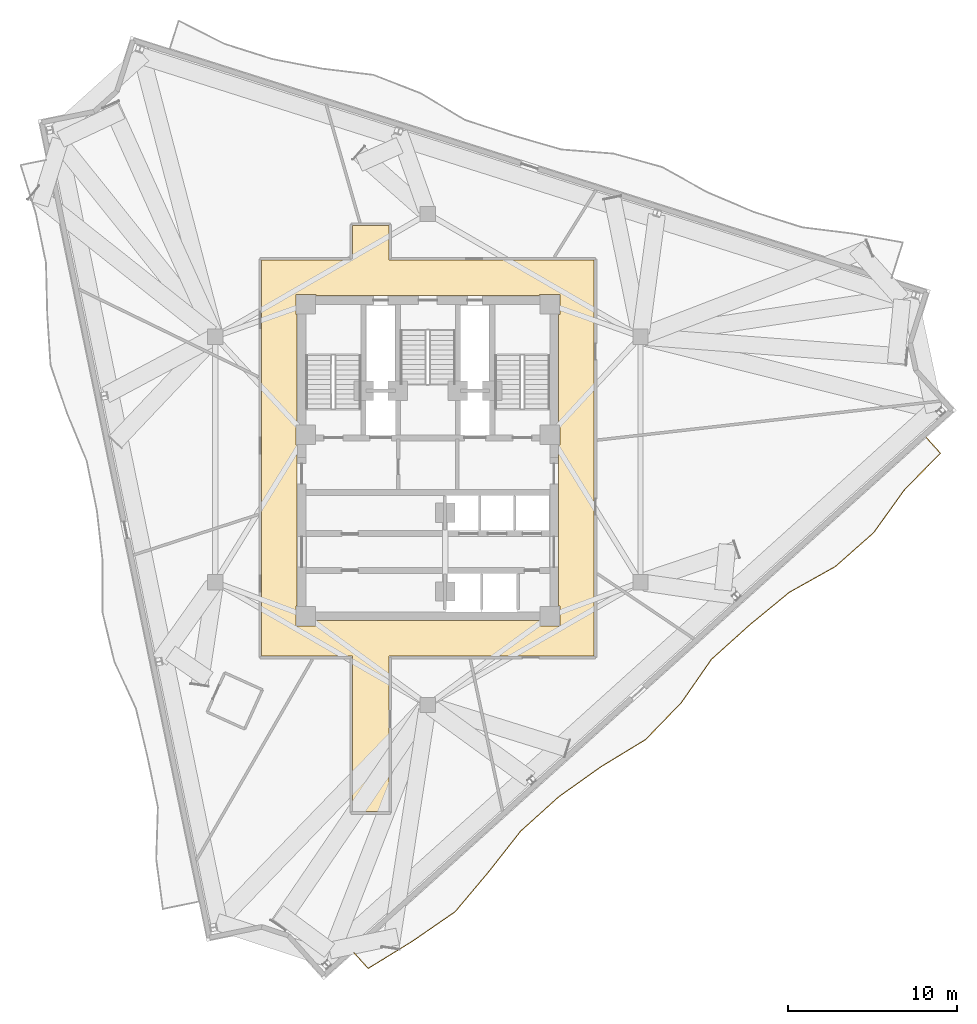
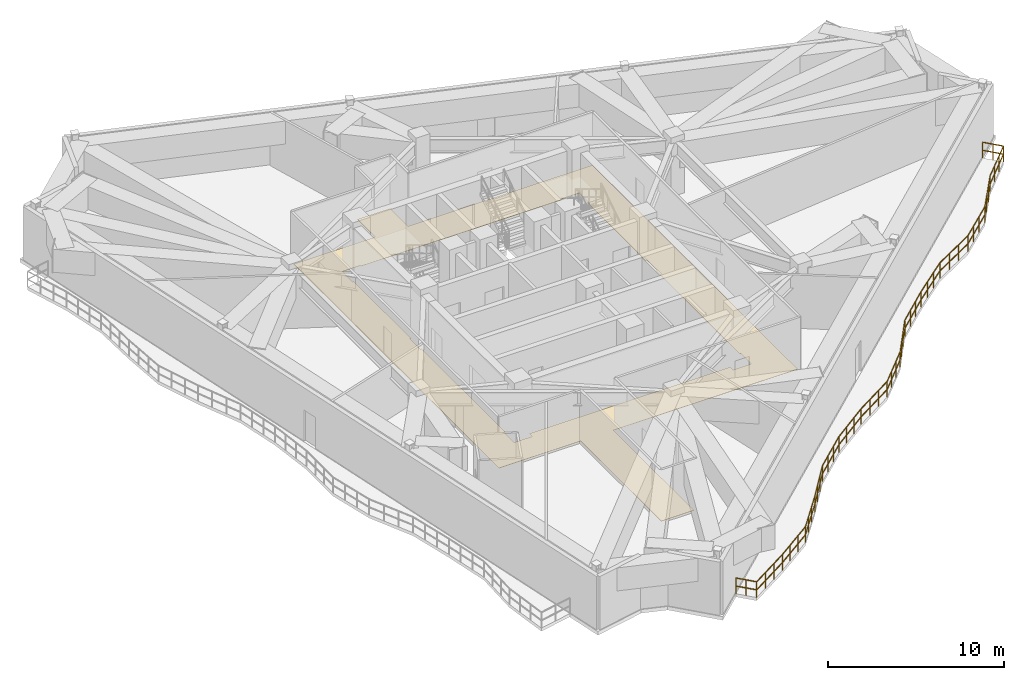
# One storey, part 10 of 12: 1 covering, 1 railing.
"""IFC4 building model written with IfcOpenShell, lengths in metres."""

from ifc_helpers import new_model, si_unit, direction, frame, origin, origin_2d, place, context, subcontext, project, spatial, polyline, rectangle, outline, extrude, material, layer, layer_set, type_object, element, save


model = new_model("IFC4")

# Units and contexts
model_context = context("Model", 3, precision=1e-05, world=origin(), true_north=direction((0.0, 1.0)))
body_context = subcontext(model_context, "Body", "Model", "MODEL_VIEW")
ifc_project = project(units=[si_unit("LENGTHUNIT", "METRE"), si_unit("AREAUNIT", "SQUARE_METRE"), si_unit("VOLUMEUNIT", "CUBIC_METRE"), si_unit("PLANEANGLEUNIT", "RADIAN"), si_unit("MASSUNIT", "GRAM", prefix="KILO")], contexts=[model_context])

# Site, building, storey
site_placement = place(None, origin())
site = spatial("IfcSite", under=ifc_project, at=site_placement, CompositionType="ELEMENT")
building_placement = place(site_placement, origin())
building = spatial("IfcBuilding", under=site, at=building_placement, Name="Apsidion Concourse Tower", CompositionType="ELEMENT")
storey_placement = place(building_placement, frame((0.0, 0.0, 256.800048828125)))
storey = spatial("IfcBuildingStorey", under=building, at=storey_placement, Name="L60", CompositionType="ELEMENT", Elevation=256.800048828125)

# Covering
ifc_material_1 = material(Name="Honed travertine floor finish", Category="masonry")
ifc_layer = layer(ifc_material_1, 0.02001953125)
ifc_layer_set = layer_set([ifc_layer], Name="Honed travertine floor finish")
covering_type = type_object("IfcCoveringType", Name="COV-FLOR-20", PredefinedType="FLOORING", material=ifc_layer_set)
covering_placement = place(storey_placement, origin())
element("IfcCovering", 1, at=covering_placement, inside=storey, type_object=covering_type, Name="L60 Honed Travertine Floor Finish 2", PredefinedType="FLOORING", context=body_context, shape_type="SweptSolid", body=[
    extrude(outline(polyline([(-9.820068359375, -11.6201171875), (-9.820068359375, 11.77001953125), (-4.449951171875, 11.77001953125), (-4.449951171875, 13.800048828125), (-2.300048828125, 13.800048828125), (-2.300048828125, 11.77001953125), (9.820068359375, 11.77001953125), (9.820068359375, -11.6201171875), (-2.300048828125, -11.6201171875), (-2.300048828125, -20.800048828125), (-4.449951171875, -20.800048828125), (-4.449951171875, -11.6201171875), (-9.820068359375, -11.6201171875)]), holes=[polyline([(-2.300048828125, 9.669921875), (-4.449951171875, 9.669921875), (-6.60498046875, 9.669921875), (-6.60498046875, 9.72509765625), (-6.60498046875, 9.72705078125), (-6.60546875, 9.72900390625), (-6.60595703125, 9.730712890625), (-6.6064453125, 9.732666015625), (-6.607421875, 9.734375), (-6.6083984375, 9.736083984375), (-6.609619140625, 9.73779296875), (-6.61083984375, 9.739013671875), (-6.6123046875, 9.740478515625), (-6.614013671875, 9.74169921875), (-6.615478515625, 9.74267578125), (-6.6171875, 9.743408203125), (-6.619140625, 9.744140625), (-6.62109375, 9.74462890625), (-6.623046875, 9.744873046875), (-6.625, 9.7451171875), (-7.77490234375, 9.7451171875), (-7.777099609375, 9.744873046875), (-7.77880859375, 9.74462890625), (-7.78076171875, 9.744140625), (-7.78271484375, 9.743408203125), (-7.784423828125, 9.74267578125), (-7.7861328125, 9.74169921875), (-7.78759765625, 9.740478515625), (-7.7890625, 9.739013671875), (-7.79052734375, 9.73779296875), (-7.79150390625, 9.736083984375), (-7.79248046875, 9.734375), (-7.79345703125, 9.732666015625), (-7.794189453125, 9.730712890625), (-7.794677734375, 9.72900390625), (-7.794921875, 9.72705078125), (-7.794921875, 9.72509765625), (-7.794921875, 8.574951171875), (-7.794921875, 8.572998046875), (-7.794677734375, 8.571044921875), (-7.794189453125, 8.569091796875), (-7.79345703125, 8.5673828125), (-7.79248046875, 8.565673828125), (-7.79150390625, 8.56396484375), (-7.79052734375, 8.562255859375), (-7.7890625, 8.560791015625), (-7.78759765625, 8.5595703125), (-7.7861328125, 8.558349609375), (-7.784423828125, 8.557373046875), (-7.78271484375, 8.556396484375), (-7.78076171875, 8.555908203125), (-7.77880859375, 8.555419921875), (-7.777099609375, 8.55517578125), (-7.77490234375, 8.554931640625), (-7.719970703125, 8.554931640625), (-7.719970703125, 2.044921875), (-7.77490234375, 2.044921875), (-7.777099609375, 2.044921875), (-7.77880859375, 2.044677734375), (-7.78076171875, 2.044189453125), (-7.78271484375, 2.04345703125), (-7.784423828125, 2.04248046875), (-7.7861328125, 2.04150390625), (-7.78759765625, 2.04052734375), (-7.7890625, 2.0390625), (-7.79052734375, 2.03759765625), (-7.79150390625, 2.0361328125), (-7.79248046875, 2.034423828125), (-7.79345703125, 2.03271484375), (-7.794189453125, 2.03076171875), (-7.794677734375, 2.02880859375), (-7.794921875, 2.027099609375), (-7.794921875, 2.02490234375), (-7.794921875, 0.875), (-7.794921875, 0.873046875), (-7.794677734375, 0.87109375), (-7.794189453125, 0.869140625), (-7.79345703125, 0.8671875), (-7.79248046875, 0.865478515625), (-7.79150390625, 0.864013671875), (-7.79052734375, 0.8623046875), (-7.7890625, 0.86083984375), (-7.78759765625, 0.859619140625), (-7.7861328125, 0.8583984375), (-7.784423828125, 0.857421875), (-7.78271484375, 0.8564453125), (-7.78076171875, 0.85595703125), (-7.77880859375, 0.85546875), (-7.777099609375, 0.85498046875), (-7.77490234375, 0.85498046875), (-7.719970703125, 0.85498046875), (-7.719970703125, -8.655029296875), (-7.77490234375, -8.655029296875), (-7.777099609375, -8.655029296875), (-7.77880859375, -8.655517578125), (-7.78076171875, -8.656005859375), (-7.78271484375, -8.656494140625), (-7.784423828125, -8.657470703125), (-7.7861328125, -8.658447265625), (-7.78759765625, -8.659423828125), (-7.7890625, -8.660888671875), (-7.79052734375, -8.662353515625), (-7.79150390625, -8.663818359375), (-7.79248046875, -8.66552734375), (-7.79345703125, -8.667236328125), (-7.794189453125, -8.669189453125), (-7.794677734375, -8.671142578125), (-7.794921875, -8.673095703125), (-7.794921875, -8.675048828125), (-7.794921875, -9.824951171875), (-7.794921875, -9.826904296875), (-7.794677734375, -9.828857421875), (-7.794189453125, -9.830810546875), (-7.79345703125, -9.832763671875), (-7.79248046875, -9.83447265625), (-7.79150390625, -9.836181640625), (-7.79052734375, -9.837646484375), (-7.7890625, -9.839111328125), (-7.78759765625, -9.840576171875), (-7.7861328125, -9.841552734375), (-7.784423828125, -9.842529296875), (-7.78271484375, -9.843505859375), (-7.78076171875, -9.843994140625), (-7.77880859375, -9.844482421875), (-7.777099609375, -9.844970703125), (-7.77490234375, -9.844970703125), (-6.625, -9.844970703125), (-6.623046875, -9.844970703125), (-6.62109375, -9.844482421875), (-6.619140625, -9.843994140625), (-6.6171875, -9.843505859375), (-6.615478515625, -9.842529296875), (-6.614013671875, -9.841552734375), (-6.6123046875, -9.840576171875), (-6.61083984375, -9.839111328125), (-6.609619140625, -9.837646484375), (-6.6083984375, -9.836181640625), (-6.607421875, -9.83447265625), (-6.6064453125, -9.832763671875), (-6.60595703125, -9.830810546875), (-6.60546875, -9.828857421875), (-6.60498046875, -9.826904296875), (-6.60498046875, -9.824951171875), (-6.60498046875, -9.52001953125), (-4.449951171875, -9.52001953125), (-2.300048828125, -9.52001953125), (6.60498046875, -9.52001953125), (6.60498046875, -9.824951171875), (6.60498046875, -9.826904296875), (6.60546875, -9.828857421875), (6.60595703125, -9.830810546875), (6.6064453125, -9.832763671875), (6.607421875, -9.83447265625), (6.6083984375, -9.836181640625), (6.609619140625, -9.837646484375), (6.61083984375, -9.839111328125), (6.6123046875, -9.840576171875), (6.614013671875, -9.841552734375), (6.615478515625, -9.842529296875), (6.6171875, -9.843505859375), (6.619140625, -9.843994140625), (6.62109375, -9.844482421875), (6.623046875, -9.844970703125), (6.625, -9.844970703125), (7.77490234375, -9.844970703125), (7.777099609375, -9.844970703125), (7.77880859375, -9.844482421875), (7.78076171875, -9.843994140625), (7.78271484375, -9.843505859375), (7.784423828125, -9.842529296875), (7.7861328125, -9.841552734375), (7.78759765625, -9.840576171875), (7.7890625, -9.839111328125), (7.79052734375, -9.837646484375), (7.79150390625, -9.836181640625), (7.79248046875, -9.83447265625), (7.79345703125, -9.832763671875), (7.794189453125, -9.830810546875), (7.794677734375, -9.828857421875), (7.794921875, -9.826904296875), (7.794921875, -9.824951171875), (7.794921875, -8.675048828125), (7.794921875, -8.673095703125), (7.794677734375, -8.671142578125), (7.794189453125, -8.669189453125), (7.79345703125, -8.667236328125), (7.79248046875, -8.66552734375), (7.79150390625, -8.663818359375), (7.79052734375, -8.662353515625), (7.7890625, -8.660888671875), (7.78759765625, -8.659423828125), (7.7861328125, -8.658447265625), (7.784423828125, -8.657470703125), (7.78271484375, -8.656494140625), (7.78076171875, -8.656005859375), (7.77880859375, -8.655517578125), (7.777099609375, -8.655029296875), (7.77490234375, -8.655029296875), (7.719970703125, -8.655029296875), (7.719970703125, 0.85498046875), (7.77490234375, 0.85498046875), (7.777099609375, 0.85498046875), (7.77880859375, 0.85546875), (7.78076171875, 0.85595703125), (7.78271484375, 0.8564453125), (7.784423828125, 0.857421875), (7.7861328125, 0.8583984375), (7.78759765625, 0.859619140625), (7.7890625, 0.86083984375), (7.79052734375, 0.8623046875), (7.79150390625, 0.864013671875), (7.79248046875, 0.865478515625), (7.79345703125, 0.8671875), (7.794189453125, 0.869140625), (7.794677734375, 0.87109375), (7.794921875, 0.873046875), (7.794921875, 0.875), (7.794921875, 2.02490234375), (7.794921875, 2.027099609375), (7.794677734375, 2.02880859375), (7.794189453125, 2.03076171875), (7.79345703125, 2.03271484375), (7.79248046875, 2.034423828125), (7.79150390625, 2.0361328125), (7.79052734375, 2.03759765625), (7.7890625, 2.0390625), (7.78759765625, 2.04052734375), (7.7861328125, 2.04150390625), (7.784423828125, 2.04248046875), (7.78271484375, 2.04345703125), (7.78076171875, 2.044189453125), (7.77880859375, 2.044677734375), (7.777099609375, 2.044921875), (7.77490234375, 2.044921875), (7.719970703125, 2.044921875), (7.719970703125, 8.554931640625), (7.77490234375, 8.554931640625), (7.777099609375, 8.55517578125), (7.77880859375, 8.555419921875), (7.78076171875, 8.555908203125), (7.78271484375, 8.556396484375), (7.784423828125, 8.557373046875), (7.7861328125, 8.558349609375), (7.78759765625, 8.5595703125), (7.7890625, 8.560791015625), (7.79052734375, 8.562255859375), (7.79150390625, 8.56396484375), (7.79248046875, 8.565673828125), (7.79345703125, 8.5673828125), (7.794189453125, 8.569091796875), (7.794677734375, 8.571044921875), (7.794921875, 8.572998046875), (7.794921875, 8.574951171875), (7.794921875, 9.72509765625), (7.794921875, 9.72705078125), (7.794677734375, 9.72900390625), (7.794189453125, 9.730712890625), (7.79345703125, 9.732666015625), (7.79248046875, 9.734375), (7.79150390625, 9.736083984375), (7.79052734375, 9.73779296875), (7.7890625, 9.739013671875), (7.78759765625, 9.740478515625), (7.7861328125, 9.74169921875), (7.784423828125, 9.74267578125), (7.78271484375, 9.743408203125), (7.78076171875, 9.744140625), (7.77880859375, 9.74462890625), (7.777099609375, 9.744873046875), (7.77490234375, 9.7451171875), (6.625, 9.7451171875), (6.623046875, 9.744873046875), (6.62109375, 9.74462890625), (6.619140625, 9.744140625), (6.6171875, 9.743408203125), (6.615478515625, 9.74267578125), (6.614013671875, 9.74169921875), (6.6123046875, 9.740478515625), (6.61083984375, 9.739013671875), (6.609619140625, 9.73779296875), (6.6083984375, 9.736083984375), (6.607421875, 9.734375), (6.6064453125, 9.732666015625), (6.60595703125, 9.730712890625), (6.60546875, 9.72900390625), (6.60498046875, 9.72705078125), (6.60498046875, 9.72509765625), (6.60498046875, 9.669921875), (-2.300048828125, 9.669921875)])]), origin(), (0.0, 0.0, 1.0), 0.02001953125),
])

# Railing
ifc_material_2 = material(Name="Brushed stainless steel 316", Category="steel")
railing_type = type_object("IfcRailingType", Name="RL-BAL-1120", PredefinedType="BALUSTRADE", material=ifc_material_2)
railing_placement = place(storey_placement, frame((29.43359375, 1.295166015625, 0.0)))
element("IfcRailing", 2, at=railing_placement, inside=storey, type_object=railing_type, Name="L60 Face 2 Rippling Balcony Balustrade", PredefinedType="BALUSTRADE", context=body_context, shape_type="SweptSolid", body=[
    extrude(rectangle(XDim=0.048095703125, YDim=0.048095703125, at=origin_2d()), frame((0.0, 0.0, 1.09619140625), z_axis=(0.669126573551, -0.743148456614, 0.0), x_axis=(0.743148456614, 0.669126573551, 0.0)), (0.0, 0.0, 1.0), 1.25),
    extrude(rectangle(XDim=0.048095703125, YDim=0.048095703125, at=origin_2d()), frame((0.0, 0.0, 0.5361328125), z_axis=(0.669126573551, -0.743148456614, 0.0), x_axis=(0.743148456614, 0.669126573551, 0.0)), (0.0, 0.0, 1.0), 1.25),
    extrude(rectangle(XDim=0.048095703125, YDim=0.048095703125, at=origin_2d()), frame((0.83642578125, -0.928955078125, 1.09619140625), z_axis=(-0.700729199082, -0.713427354083, 0.0), x_axis=(0.713427354083, -0.700729199082, 0.0)), (0.0, 0.0, 1.0), 3.037841796875),
    extrude(rectangle(XDim=0.048095703125, YDim=0.048095703125, at=origin_2d()), frame((0.83642578125, -0.928955078125, 0.5361328125), z_axis=(-0.700729199082, -0.713427354083, 0.0), x_axis=(0.713427354083, -0.700729199082, 0.0)), (0.0, 0.0, 1.0), 3.037841796875),
    extrude(rectangle(XDim=0.048095703125, YDim=0.048095703125, at=origin_2d()), frame((-1.292236328125, -3.09619140625, 1.09619140625), z_axis=(-0.582301555554, -0.812972876792, 0.0), x_axis=(0.812972876792, -0.582301555554, 0.0)), (0.0, 0.0, 1.0), 3.104248046875),
    extrude(rectangle(XDim=0.048095703125, YDim=0.048095703125, at=origin_2d()), frame((-1.292236328125, -3.09619140625, 0.5361328125), z_axis=(-0.582301555554, -0.812972876792, 0.0), x_axis=(0.812972876792, -0.582301555554, 0.0)), (0.0, 0.0, 1.0), 3.104248046875),
    extrude(rectangle(XDim=0.048095703125, YDim=0.048095703125, at=origin_2d()), frame((-3.099853515625, -5.619873046875, 1.09619140625), z_axis=(-0.749435924081, -0.662076880503, 0.0), x_axis=(0.662076880503, -0.749435924081, 0.0)), (0.0, 0.0, 1.0), 3.0322265625),
    extrude(rectangle(XDim=0.048095703125, YDim=0.048095703125, at=origin_2d()), frame((-3.099853515625, -5.619873046875, 0.5361328125), z_axis=(-0.749435924081, -0.662076880503, 0.0), x_axis=(0.662076880503, -0.749435924081, 0.0)), (0.0, 0.0, 1.0), 3.0322265625),
    extrude(rectangle(XDim=0.048095703125, YDim=0.048095703125, at=origin_2d()), frame((-5.372314453125, -7.62744140625, 1.09619140625), z_axis=(-0.87266399383, -0.488321158535, 0.0), x_axis=(0.488321158535, -0.87266399383, 0.0)), (0.0, 0.0, 1.0), 3.108642578125),
    extrude(rectangle(XDim=0.048095703125, YDim=0.048095703125, at=origin_2d()), frame((-5.372314453125, -7.62744140625, 0.5361328125), z_axis=(-0.87266399383, -0.488321158535, 0.0), x_axis=(0.488321158535, -0.87266399383, 0.0)), (0.0, 0.0, 1.0), 3.108642578125),
    extrude(rectangle(XDim=0.048095703125, YDim=0.048095703125, at=origin_2d()), frame((-8.085205078125, -9.1455078125, 1.09619140625), z_axis=(-0.772457053962, -0.635067004169, 0.0), x_axis=(0.635067004169, -0.772457053962, 0.0)), (0.0, 0.0, 1.0), 3.03515625),
    extrude(rectangle(XDim=0.048095703125, YDim=0.048095703125, at=origin_2d()), frame((-8.085205078125, -9.1455078125, 0.5361328125), z_axis=(-0.772457053962, -0.635067004169, 0.0), x_axis=(0.635067004169, -0.772457053962, 0.0)), (0.0, 0.0, 1.0), 3.03515625),
    extrude(rectangle(XDim=0.048095703125, YDim=0.048095703125, at=origin_2d()), frame((-10.4296875, -11.072998046875, 1.09619140625), z_axis=(-0.743137975508, -0.669138213942, 0.0), x_axis=(0.669138213942, -0.743137975508, 0.0)), (0.0, 0.0, 1.0), 3.031982421875),
    extrude(rectangle(XDim=0.048095703125, YDim=0.048095703125, at=origin_2d()), frame((-10.4296875, -11.072998046875, 0.5361328125), z_axis=(-0.743137975508, -0.669138213942, 0.0), x_axis=(0.669138213942, -0.743137975508, 0.0)), (0.0, 0.0, 1.0), 3.031982421875),
    extrude(rectangle(XDim=0.048095703125, YDim=0.048095703125, at=origin_2d()), frame((-12.682861328125, -13.101806640625, 1.09619140625), z_axis=(-0.570696935224, -0.821160768745, 0.0), x_axis=(0.821160768745, -0.570696935224, 0.0)), (0.0, 0.0, 1.0), 3.1142578125),
    extrude(rectangle(XDim=0.048095703125, YDim=0.048095703125, at=origin_2d()), frame((-12.682861328125, -13.101806640625, 0.5361328125), z_axis=(-0.570696935224, -0.821160768745, 0.0), x_axis=(0.821160768745, -0.570696935224, 0.0)), (0.0, 0.0, 1.0), 3.1142578125),
    extrude(rectangle(XDim=0.048095703125, YDim=0.048095703125, at=origin_2d()), frame((-14.460205078125, -15.6591796875, 1.09619140625), z_axis=(-0.695404032151, -0.718618975583, 0.0), x_axis=(0.718618975583, -0.695404032151, 0.0)), (0.0, 0.0, 1.0), 3.039306640625),
    extrude(rectangle(XDim=0.048095703125, YDim=0.048095703125, at=origin_2d()), frame((-14.460205078125, -15.6591796875, 0.5361328125), z_axis=(-0.695404032151, -0.718618975583, 0.0), x_axis=(0.718618975583, -0.695404032151, 0.0)), (0.0, 0.0, 1.0), 3.039306640625),
    extrude(rectangle(XDim=0.048095703125, YDim=0.048095703125, at=origin_2d()), frame((-16.57373046875, -17.84326171875, 1.09619140625), z_axis=(-0.854172576761, -0.519989624041, 0.0), x_axis=(0.519989624041, -0.854172576761, 0.0)), (0.0, 0.0, 1.0), 3.085205078125),
    extrude(rectangle(XDim=0.048095703125, YDim=0.048095703125, at=origin_2d()), frame((-16.57373046875, -17.84326171875, 0.5361328125), z_axis=(-0.854172576761, -0.519989624041, 0.0), x_axis=(0.519989624041, -0.854172576761, 0.0)), (0.0, 0.0, 1.0), 3.085205078125),
    extrude(rectangle(XDim=0.048095703125, YDim=0.048095703125, at=origin_2d()), frame((-19.208984375, -19.447509765625, 1.09619140625), z_axis=(-0.814780667996, -0.579769318833, 0.0), x_axis=(0.579769318833, -0.814780667996, 0.0)), (0.0, 0.0, 1.0), 3.05224609375),
    extrude(rectangle(XDim=0.048095703125, YDim=0.048095703125, at=origin_2d()), frame((-19.208984375, -19.447509765625, 0.5361328125), z_axis=(-0.814780667996, -0.579769318833, 0.0), x_axis=(0.579769318833, -0.814780667996, 0.0)), (0.0, 0.0, 1.0), 3.05224609375),
    extrude(rectangle(XDim=0.048095703125, YDim=0.048095703125, at=origin_2d()), frame((-21.69580078125, -21.217041015625, 1.09619140625), z_axis=(-0.743137975508, -0.669138213942, 0.0), x_axis=(0.669138213942, -0.743137975508, 0.0)), (0.0, 0.0, 1.0), 3.031982421875),
    extrude(rectangle(XDim=0.048095703125, YDim=0.048095703125, at=origin_2d()), frame((-21.69580078125, -21.217041015625, 0.5361328125), z_axis=(-0.743137975508, -0.669138213942, 0.0), x_axis=(0.669138213942, -0.743137975508, 0.0)), (0.0, 0.0, 1.0), 3.031982421875),
    extrude(rectangle(XDim=0.048095703125, YDim=0.048095703125, at=origin_2d()), frame((-23.948974609375, -23.245849609375, 1.09619140625), z_axis=(-0.617811040115, -0.786326597994, 0.0), x_axis=(0.786326597994, -0.617811040115, 0.0)), (0.0, 0.0, 1.0), 3.0771484375),
    extrude(rectangle(XDim=0.048095703125, YDim=0.048095703125, at=origin_2d()), frame((-23.948974609375, -23.245849609375, 0.5361328125), z_axis=(-0.617811040115, -0.786326597994, 0.0), x_axis=(0.786326597994, -0.617811040115, 0.0)), (0.0, 0.0, 1.0), 3.0771484375),
    extrude(rectangle(XDim=0.048095703125, YDim=0.048095703125, at=origin_2d()), frame((-25.85009765625, -25.66552734375, 1.09619140625), z_axis=(-0.64337908543, -0.76554774667, 0.0), x_axis=(0.76554774667, -0.64337908543, 0.0)), (0.0, 0.0, 1.0), 3.0615234375),
    extrude(rectangle(XDim=0.048095703125, YDim=0.048095703125, at=origin_2d()), frame((-25.85009765625, -25.66552734375, 0.5361328125), z_axis=(-0.64337908543, -0.76554774667, 0.0), x_axis=(0.76554774667, -0.64337908543, 0.0)), (0.0, 0.0, 1.0), 3.0615234375),
    extrude(rectangle(XDim=0.048095703125, YDim=0.048095703125, at=origin_2d()), frame((-27.81982421875, -28.00927734375, 1.09619140625), z_axis=(-0.823073769677, -0.567934476564, 0.0), x_axis=(0.567934476564, -0.823073769677, 0.0)), (0.0, 0.0, 1.0), 3.057373046875),
    extrude(rectangle(XDim=0.048095703125, YDim=0.048095703125, at=origin_2d()), frame((-27.81982421875, -28.00927734375, 0.5361328125), z_axis=(-0.823073769677, -0.567934476564, 0.0), x_axis=(0.567934476564, -0.823073769677, 0.0)), (0.0, 0.0, 1.0), 3.057373046875),
    extrude(rectangle(XDim=0.048095703125, YDim=0.048095703125, at=origin_2d()), frame((-30.336181640625, -29.74560546875, 1.09619140625), z_axis=(-0.85168822676, -0.524048818716, 0.0), x_axis=(0.524048818716, -0.85168822676, 0.0)), (0.0, 0.0, 1.0), 3.082763671875),
    extrude(rectangle(XDim=0.048095703125, YDim=0.048095703125, at=origin_2d()), frame((-30.336181640625, -29.74560546875, 0.5361328125), z_axis=(-0.85168822676, -0.524048818716, 0.0), x_axis=(0.524048818716, -0.85168822676, 0.0)), (0.0, 0.0, 1.0), 3.082763671875),
    extrude(rectangle(XDim=0.048095703125, YDim=0.048095703125, at=origin_2d()), frame((-32.961669921875, -31.361083984375, 1.09619140625), z_axis=(-0.669126573551, 0.743148456614, 0.0), x_axis=(-0.743148456614, -0.669126573551, 0.0)), (0.0, 0.0, 1.0), 1.25),
    extrude(rectangle(XDim=0.048095703125, YDim=0.048095703125, at=origin_2d()), frame((-32.961669921875, -31.361083984375, 0.5361328125), z_axis=(-0.669126573551, 0.743148456614, 0.0), x_axis=(-0.743148456614, -0.669126573551, 0.0)), (0.0, 0.0, 1.0), 1.25),
    extrude(rectangle(XDim=0.0419921875, YDim=0.0419921875, at=origin_2d()), origin(), (0.0, 0.0, 1.0), 1.072021484375),
    extrude(rectangle(XDim=0.0419921875, YDim=0.0419921875, at=origin_2d()), frame((0.418212890625, -0.46435546875, 0.0)), (0.0, 0.0, 1.0), 1.072021484375),
    extrude(rectangle(XDim=0.0419921875, YDim=0.0419921875, at=origin_2d()), frame((0.83642578125, -0.928955078125, 0.0)), (0.0, 0.0, 1.0), 1.072021484375),
    extrude(rectangle(XDim=0.0419921875, YDim=0.0419921875, at=origin_2d()), frame((0.126953125, -1.6513671875, 0.0)), (0.0, 0.0, 1.0), 1.072021484375),
    extrude(rectangle(XDim=0.0419921875, YDim=0.0419921875, at=origin_2d()), frame((-0.582763671875, -2.373779296875, 0.0)), (0.0, 0.0, 1.0), 1.072021484375),
    extrude(rectangle(XDim=0.0419921875, YDim=0.0419921875, at=origin_2d()), frame((-1.292236328125, -3.09619140625, 0.0)), (0.0, 0.0, 1.0), 1.072021484375),
    extrude(rectangle(XDim=0.0419921875, YDim=0.0419921875, at=origin_2d()), frame((-1.894775390625, -3.9375, 0.0)), (0.0, 0.0, 1.0), 1.072021484375),
    extrude(rectangle(XDim=0.0419921875, YDim=0.0419921875, at=origin_2d()), frame((-2.497314453125, -4.778564453125, 0.0)), (0.0, 0.0, 1.0), 1.072021484375),
    extrude(rectangle(XDim=0.0419921875, YDim=0.0419921875, at=origin_2d()), frame((-3.099853515625, -5.619873046875, 0.0)), (0.0, 0.0, 1.0), 1.072021484375),
    extrude(rectangle(XDim=0.0419921875, YDim=0.0419921875, at=origin_2d()), frame((-3.857421875, -6.2890625, 0.0)), (0.0, 0.0, 1.0), 1.072021484375),
    extrude(rectangle(XDim=0.0419921875, YDim=0.0419921875, at=origin_2d()), frame((-4.61474609375, -6.958251953125, 0.0)), (0.0, 0.0, 1.0), 1.072021484375),
    extrude(rectangle(XDim=0.0419921875, YDim=0.0419921875, at=origin_2d()), frame((-5.372314453125, -7.62744140625, 0.0)), (0.0, 0.0, 1.0), 1.072021484375),
    extrude(rectangle(XDim=0.0419921875, YDim=0.0419921875, at=origin_2d()), frame((-6.276611328125, -8.133544921875, 0.0)), (0.0, 0.0, 1.0), 1.072021484375),
    extrude(rectangle(XDim=0.0419921875, YDim=0.0419921875, at=origin_2d()), frame((-7.180908203125, -8.639404296875, 0.0)), (0.0, 0.0, 1.0), 1.072021484375),
    extrude(rectangle(XDim=0.0419921875, YDim=0.0419921875, at=origin_2d()), frame((-8.085205078125, -9.1455078125, 0.0)), (0.0, 0.0, 1.0), 1.072021484375),
    extrude(rectangle(XDim=0.0419921875, YDim=0.0419921875, at=origin_2d()), frame((-8.86669921875, -9.7880859375, 0.0)), (0.0, 0.0, 1.0), 1.072021484375),
    extrude(rectangle(XDim=0.0419921875, YDim=0.0419921875, at=origin_2d()), frame((-9.648193359375, -10.430419921875, 0.0)), (0.0, 0.0, 1.0), 1.072021484375),
    extrude(rectangle(XDim=0.0419921875, YDim=0.0419921875, at=origin_2d()), frame((-10.4296875, -11.072998046875, 0.0)), (0.0, 0.0, 1.0), 1.072021484375),
    extrude(rectangle(XDim=0.0419921875, YDim=0.0419921875, at=origin_2d()), frame((-11.1806640625, -11.749267578125, 0.0)), (0.0, 0.0, 1.0), 1.072021484375),
    extrude(rectangle(XDim=0.0419921875, YDim=0.0419921875, at=origin_2d()), frame((-11.931884765625, -12.425537109375, 0.0)), (0.0, 0.0, 1.0), 1.072021484375),
    extrude(rectangle(XDim=0.0419921875, YDim=0.0419921875, at=origin_2d()), frame((-12.682861328125, -13.101806640625, 0.0)), (0.0, 0.0, 1.0), 1.072021484375),
    extrude(rectangle(XDim=0.0419921875, YDim=0.0419921875, at=origin_2d()), frame((-13.275390625, -13.954345703125, 0.0)), (0.0, 0.0, 1.0), 1.072021484375),
    extrude(rectangle(XDim=0.0419921875, YDim=0.0419921875, at=origin_2d()), frame((-13.86767578125, -14.806640625, 0.0)), (0.0, 0.0, 1.0), 1.072021484375),
    extrude(rectangle(XDim=0.0419921875, YDim=0.0419921875, at=origin_2d()), frame((-14.460205078125, -15.6591796875, 0.0)), (0.0, 0.0, 1.0), 1.072021484375),
    extrude(rectangle(XDim=0.0419921875, YDim=0.0419921875, at=origin_2d()), frame((-15.164794921875, -16.38720703125, 0.0)), (0.0, 0.0, 1.0), 1.072021484375),
    extrude(rectangle(XDim=0.0419921875, YDim=0.0419921875, at=origin_2d()), frame((-15.869140625, -17.115234375, 0.0)), (0.0, 0.0, 1.0), 1.072021484375),
    extrude(rectangle(XDim=0.0419921875, YDim=0.0419921875, at=origin_2d()), frame((-16.57373046875, -17.84326171875, 0.0)), (0.0, 0.0, 1.0), 1.072021484375),
    extrude(rectangle(XDim=0.0419921875, YDim=0.0419921875, at=origin_2d()), frame((-17.4521484375, -18.3779296875, 0.0)), (0.0, 0.0, 1.0), 1.072021484375),
    extrude(rectangle(XDim=0.0419921875, YDim=0.0419921875, at=origin_2d()), frame((-18.33056640625, -18.912841796875, 0.0)), (0.0, 0.0, 1.0), 1.072021484375),
    extrude(rectangle(XDim=0.0419921875, YDim=0.0419921875, at=origin_2d()), frame((-19.208984375, -19.447509765625, 0.0)), (0.0, 0.0, 1.0), 1.072021484375),
    extrude(rectangle(XDim=0.0419921875, YDim=0.0419921875, at=origin_2d()), frame((-20.037841796875, -20.037353515625, 0.0)), (0.0, 0.0, 1.0), 1.072021484375),
    extrude(rectangle(XDim=0.0419921875, YDim=0.0419921875, at=origin_2d()), frame((-20.866943359375, -20.627197265625, 0.0)), (0.0, 0.0, 1.0), 1.072021484375),
    extrude(rectangle(XDim=0.0419921875, YDim=0.0419921875, at=origin_2d()), frame((-21.69580078125, -21.217041015625, 0.0)), (0.0, 0.0, 1.0), 1.072021484375),
    extrude(rectangle(XDim=0.0419921875, YDim=0.0419921875, at=origin_2d()), frame((-22.44677734375, -21.893310546875, 0.0)), (0.0, 0.0, 1.0), 1.072021484375),
    extrude(rectangle(XDim=0.0419921875, YDim=0.0419921875, at=origin_2d()), frame((-23.197998046875, -22.569580078125, 0.0)), (0.0, 0.0, 1.0), 1.072021484375),
    extrude(rectangle(XDim=0.0419921875, YDim=0.0419921875, at=origin_2d()), frame((-23.948974609375, -23.245849609375, 0.0)), (0.0, 0.0, 1.0), 1.072021484375),
    extrude(rectangle(XDim=0.0419921875, YDim=0.0419921875, at=origin_2d()), frame((-24.582763671875, -24.052490234375, 0.0)), (0.0, 0.0, 1.0), 1.072021484375),
    extrude(rectangle(XDim=0.0419921875, YDim=0.0419921875, at=origin_2d()), frame((-25.21630859375, -24.85888671875, 0.0)), (0.0, 0.0, 1.0), 1.072021484375),
    extrude(rectangle(XDim=0.0419921875, YDim=0.0419921875, at=origin_2d()), frame((-25.85009765625, -25.66552734375, 0.0)), (0.0, 0.0, 1.0), 1.072021484375),
    extrude(rectangle(XDim=0.0419921875, YDim=0.0419921875, at=origin_2d()), frame((-26.506591796875, -26.44677734375, 0.0)), (0.0, 0.0, 1.0), 1.072021484375),
    extrude(rectangle(XDim=0.0419921875, YDim=0.0419921875, at=origin_2d()), frame((-27.163330078125, -27.22802734375, 0.0)), (0.0, 0.0, 1.0), 1.072021484375),
    extrude(rectangle(XDim=0.0419921875, YDim=0.0419921875, at=origin_2d()), frame((-27.81982421875, -28.00927734375, 0.0)), (0.0, 0.0, 1.0), 1.072021484375),
    extrude(rectangle(XDim=0.0419921875, YDim=0.0419921875, at=origin_2d()), frame((-28.65869140625, -28.588134765625, 0.0)), (0.0, 0.0, 1.0), 1.072021484375),
    extrude(rectangle(XDim=0.0419921875, YDim=0.0419921875, at=origin_2d()), frame((-29.497314453125, -29.166748046875, 0.0)), (0.0, 0.0, 1.0), 1.072021484375),
    extrude(rectangle(XDim=0.0419921875, YDim=0.0419921875, at=origin_2d()), frame((-30.336181640625, -29.74560546875, 0.0)), (0.0, 0.0, 1.0), 1.072021484375),
    extrude(rectangle(XDim=0.0419921875, YDim=0.0419921875, at=origin_2d()), frame((-31.21142578125, -30.2841796875, 0.0)), (0.0, 0.0, 1.0), 1.072021484375),
    extrude(rectangle(XDim=0.0419921875, YDim=0.0419921875, at=origin_2d()), frame((-32.08642578125, -30.822509765625, 0.0)), (0.0, 0.0, 1.0), 1.072021484375),
    extrude(rectangle(XDim=0.0419921875, YDim=0.0419921875, at=origin_2d()), frame((-32.961669921875, -31.361083984375, 0.0)), (0.0, 0.0, 1.0), 1.072021484375),
    extrude(rectangle(XDim=0.0419921875, YDim=0.0419921875, at=origin_2d()), frame((-33.3798828125, -30.896484375, 0.0)), (0.0, 0.0, 1.0), 1.072021484375),
    extrude(rectangle(XDim=0.0419921875, YDim=0.0419921875, at=origin_2d()), frame((-33.798095703125, -30.43212890625, 0.0)), (0.0, 0.0, 1.0), 1.072021484375),
])

save(model, "model.ifc")
